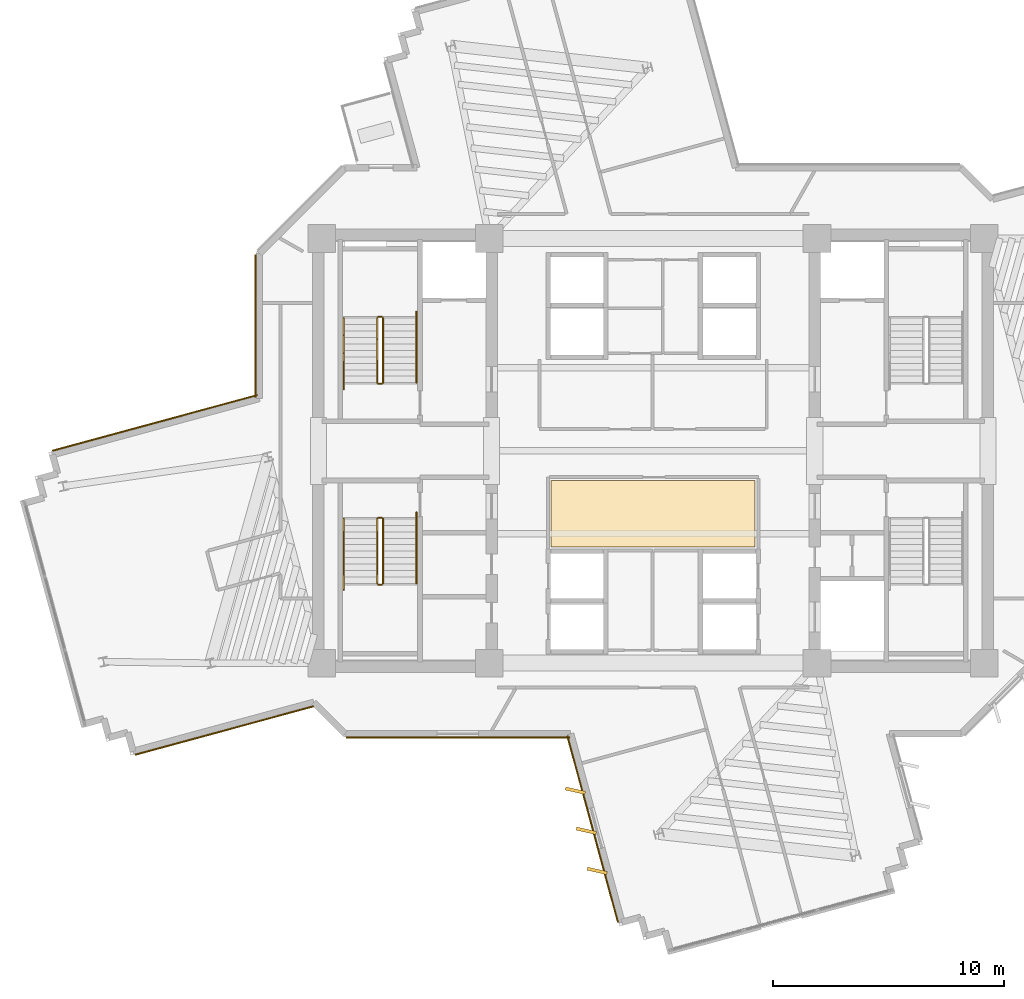
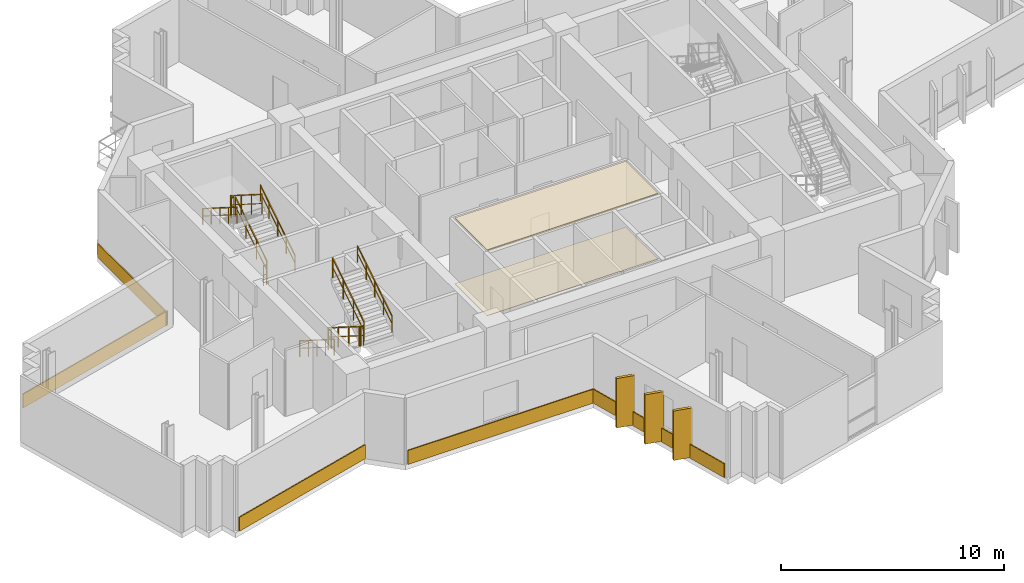
# One storey, part 13 of 15: 12 railings, 10 coverings.
"""IFC4 building model written with IfcOpenShell, lengths in metres."""

from ifc_helpers import new_model, si_unit, direction, frame, origin, origin_2d, place, context, subcontext, project, spatial, polyline, rectangle, outline, extrude, source, transform, mapped, material, layer, layer_set, type_object, element, save


model = new_model("IFC4")

# Units and contexts
model_context = context("Model", 3, precision=1e-05, world=origin(), true_north=direction((0.0, 1.0)))
body_context = subcontext(model_context, "Body", "Model", "MODEL_VIEW")
ifc_project = project(units=[si_unit("LENGTHUNIT", "METRE"), si_unit("AREAUNIT", "SQUARE_METRE"), si_unit("VOLUMEUNIT", "CUBIC_METRE"), si_unit("PLANEANGLEUNIT", "RADIAN"), si_unit("MASSUNIT", "GRAM", prefix="KILO")], contexts=[model_context])

# Site, building, storey
site_placement = place(None, origin())
site = spatial("IfcSite", under=ifc_project, at=site_placement, CompositionType="ELEMENT")
building_placement = place(site_placement, origin())
building = spatial("IfcBuilding", under=site, at=building_placement, Name="Zahravan Cultural Tower", CompositionType="ELEMENT")
storey_placement = place(building_placement, frame((0.0, 0.0, 198.0)))
storey = spatial("IfcBuildingStorey", under=building, at=storey_placement, Name="L46", CompositionType="ELEMENT", Elevation=198.0)

# Coverings
ifc_material_1 = material(Name="Acoustic mineral fibreboard")
ifc_layer_1 = layer(ifc_material_1, 0.0400390625)
ifc_layer_set_1 = layer_set([ifc_layer_1], Name="Acoustic mineral fibreboard")
covering_type_1 = type_object("IfcCoveringType", Name="COV-CEIL-AC20", PredefinedType="CEILING", material=ifc_layer_set_1)
covering_1_placement = place(storey_placement, frame((0.0, 0.0, 3.580078125)))
element("IfcCovering", 1, at=covering_1_placement, inside=storey, type_object=covering_type_1, Name="L46 Acoustic Suspended Ceiling", PredefinedType="CEILING", context=body_context, shape_type="SweptSolid", body=[
    extrude(outline(polyline([(40.419921875, 25.719970703125), (31.580078125, 25.719970703125), (31.580078125, 22.830078125), (40.419921875, 22.830078125), (40.419921875, 25.719970703125)])), origin(), (0.0, 0.0, 1.0), 0.0400390625),
])
ifc_material_2 = material(Name="Terrazzo flooring")
ifc_layer_2 = layer(ifc_material_2, 0.02490234375)
ifc_layer_set_2 = layer_set([ifc_layer_2], Name="Terrazzo flooring")
covering_type_2 = type_object("IfcCoveringType", Name="COV-FLR-TZ25", PredefinedType="FLOORING", material=ifc_layer_set_2)
covering_2_placement = place(storey_placement, origin())
element("IfcCovering", 2, at=covering_2_placement, inside=storey, type_object=covering_type_2, Name="L46 Polished Terrazzo Flooring", PredefinedType="FLOORING", context=body_context, shape_type="SweptSolid", body=[
    extrude(outline(polyline([(40.419921875, 25.719970703125), (31.580078125, 25.719970703125), (31.580078125, 22.830078125), (40.419921875, 22.830078125), (40.419921875, 25.719970703125)])), origin(), (0.0, 0.0, 1.0), 0.02490234375),
])

# Railings
ifc_material_3 = material(Name="Steel ASTM A572 Grade 50", Category="steel")
railing_type_1 = type_object("IfcRailingType", Name="RL-STAIR-GRD1150", PredefinedType="BALUSTRADE", material=ifc_material_3)
railing_1_placement = place(storey_placement, frame((24.300048828125, 29.949951171875, 0.17724609375)))
element("IfcRailing", 3, at=railing_1_placement, inside=storey, type_object=railing_type_1, Name="L46 ST-W1 stair guard 1", PredefinedType="BALUSTRADE", context=body_context, shape_type="SweptSolid", body=[
    extrude(rectangle(XDim=0.05, YDim=0.05, at=origin_2d()), frame((0.0, 0.0, 1.0751953125), z_axis=(0.0, 0.844908973607, 0.534910110503), x_axis=(-1.0, 0.0, 0.0)), (0.0, 0.0, 1.0), 3.31396484375),
    extrude(rectangle(XDim=0.032, YDim=0.032, at=origin_2d()), frame((0.0, 0.0, 0.572021484375), z_axis=(0.0, 0.844908973607, 0.534910110503), x_axis=(-1.0, 0.0, 0.0)), (0.0, 0.0, 1.0), 3.31396484375),
    extrude(rectangle(XDim=0.04, YDim=0.04, at=origin_2d()), origin(), (0.0, 0.0, 1.0), 1.10009765625),
    extrude(rectangle(XDim=0.04, YDim=0.04, at=origin_2d()), frame((0.0, 0.933349609375, 0.5908203125)), (0.0, 0.0, 1.0), 1.10009765625),
    extrude(rectangle(XDim=0.04, YDim=0.04, at=origin_2d()), frame((0.0, 1.86669921875, 1.181884765625)), (0.0, 0.0, 1.0), 1.10009765625),
    extrude(rectangle(XDim=0.04, YDim=0.04, at=origin_2d()), frame((0.0, 2.800048828125, 1.772705078125)), (0.0, 0.0, 1.0), 1.10009765625),
])
railing_2_placement = place(storey_placement, frame((24.25, 32.800048828125, 1.949951171875)))
element("IfcRailing", 4, at=railing_2_placement, inside=storey, type_object=railing_type_1, Name="L46 ST-W1 stair guard 2", PredefinedType="BALUSTRADE", context=body_context, shape_type="SweptSolid", body=[
    extrude(rectangle(XDim=0.05, YDim=0.05, at=origin_2d()), frame((0.0, 0.0, 1.0751953125), z_axis=(-1.0, 0.0, 0.0), x_axis=(0.0, -1.0, 0.0)), (0.0, 0.0, 1.0), 0.14990234375),
    extrude(rectangle(XDim=0.032, YDim=0.032, at=origin_2d()), frame((0.0, 0.0, 0.572021484375), z_axis=(-1.0, 0.0, 0.0), x_axis=(0.0, -1.0, 0.0)), (0.0, 0.0, 1.0), 0.14990234375),
    extrude(rectangle(XDim=0.04, YDim=0.04, at=origin_2d()), origin(), (0.0, 0.0, 1.0), 1.10009765625),
    extrude(rectangle(XDim=0.04, YDim=0.04, at=origin_2d()), frame((-0.14990234375, 0.0, 0.0)), (0.0, 0.0, 1.0), 1.10009765625),
])
railing_3_placement = place(storey_placement, frame((24.050048828125, 32.75, 2.127197265625)))
element("IfcRailing", 5, at=railing_3_placement, inside=storey, type_object=railing_type_1, Name="L46 ST-W1 stair guard 3", PredefinedType="BALUSTRADE", context=body_context, shape_type="SweptSolid", body=[
    extrude(rectangle(XDim=0.05, YDim=0.05, at=origin_2d()), frame((0.0, 0.0, 1.0751953125), z_axis=(0.0, -0.844908973607, 0.534910110503), x_axis=(1.0, 0.0, 0.0)), (0.0, 0.0, 1.0), 3.31396484375),
    extrude(rectangle(XDim=0.032, YDim=0.032, at=origin_2d()), frame((0.0, 0.0, 0.572021484375), z_axis=(0.0, -0.844908973607, 0.534910110503), x_axis=(1.0, 0.0, 0.0)), (0.0, 0.0, 1.0), 3.31396484375),
    extrude(rectangle(XDim=0.04, YDim=0.04, at=origin_2d()), origin(), (0.0, 0.0, 1.0), 1.10009765625),
    extrude(rectangle(XDim=0.04, YDim=0.04, at=origin_2d()), frame((0.0, -0.933349609375, 0.5908203125)), (0.0, 0.0, 1.0), 1.10009765625),
    extrude(rectangle(XDim=0.04, YDim=0.04, at=origin_2d()), frame((0.0, -1.86669921875, 1.181884765625)), (0.0, 0.0, 1.0), 1.10009765625),
    extrude(rectangle(XDim=0.04, YDim=0.04, at=origin_2d()), frame((0.0, -2.800048828125, 1.772705078125)), (0.0, 0.0, 1.0), 1.10009765625),
])
railing_4_placement = place(storey_placement, frame((24.25, 29.89990234375, 0.0)))
element("IfcRailing", 6, at=railing_4_placement, inside=storey, type_object=railing_type_1, Name="L46 ST-W1 stair guard 4", PredefinedType="BALUSTRADE", context=body_context, shape_type="SweptSolid", body=[
    extrude(rectangle(XDim=0.05, YDim=0.05, at=origin_2d()), frame((0.0, 0.0, 1.0751953125), z_axis=(-1.0, 0.0, 0.0), x_axis=(0.0, -1.0, 0.0)), (0.0, 0.0, 1.0), 0.14990234375),
    extrude(rectangle(XDim=0.032, YDim=0.032, at=origin_2d()), frame((0.0, 0.0, 0.572021484375), z_axis=(-1.0, 0.0, 0.0), x_axis=(0.0, -1.0, 0.0)), (0.0, 0.0, 1.0), 0.14990234375),
    extrude(rectangle(XDim=0.04, YDim=0.04, at=origin_2d()), origin(), (0.0, 0.0, 1.0), 1.10009765625),
    extrude(rectangle(XDim=0.04, YDim=0.04, at=origin_2d()), frame((-0.14990234375, 0.0, 0.0)), (0.0, 0.0, 1.0), 1.10009765625),
])
railing_5_placement = place(storey_placement, frame((24.050048828125, 24.050048828125, 0.17724609375)))
element("IfcRailing", 7, at=railing_5_placement, inside=storey, type_object=railing_type_1, Name="L46 ST-W2 stair guard 1", PredefinedType="BALUSTRADE", context=body_context, shape_type="SweptSolid", body=[
    extrude(rectangle(XDim=0.05, YDim=0.05, at=origin_2d()), frame((0.0, 0.0, 1.0751953125), z_axis=(0.0, -0.844908973607, 0.534910110503), x_axis=(1.0, 0.0, 0.0)), (0.0, 0.0, 1.0), 3.31396484375),
    extrude(rectangle(XDim=0.032, YDim=0.032, at=origin_2d()), frame((0.0, 0.0, 0.572021484375), z_axis=(0.0, -0.844908973607, 0.534910110503), x_axis=(1.0, 0.0, 0.0)), (0.0, 0.0, 1.0), 3.31396484375),
    extrude(rectangle(XDim=0.04, YDim=0.04, at=origin_2d()), origin(), (0.0, 0.0, 1.0), 1.10009765625),
    extrude(rectangle(XDim=0.04, YDim=0.04, at=origin_2d()), frame((0.0, -0.933349609375, 0.5908203125)), (0.0, 0.0, 1.0), 1.10009765625),
    extrude(rectangle(XDim=0.04, YDim=0.04, at=origin_2d()), frame((0.0, -1.86669921875, 1.181884765625)), (0.0, 0.0, 1.0), 1.10009765625),
    extrude(rectangle(XDim=0.04, YDim=0.04, at=origin_2d()), frame((0.0, -2.800048828125, 1.772705078125)), (0.0, 0.0, 1.0), 1.10009765625),
])
railing_6_placement = place(storey_placement, frame((24.10009765625, 21.199951171875, 1.949951171875)))
element("IfcRailing", 8, at=railing_6_placement, inside=storey, type_object=railing_type_1, Name="L46 ST-W2 stair guard 2", PredefinedType="BALUSTRADE", context=body_context, shape_type="SweptSolid", body=[
    extrude(rectangle(XDim=0.05, YDim=0.05, at=origin_2d()), frame((0.0, 0.0, 1.0751953125), z_axis=(1.0, 0.0, 0.0), x_axis=(0.0, 1.0, 0.0)), (0.0, 0.0, 1.0), 0.14990234375),
    extrude(rectangle(XDim=0.032, YDim=0.032, at=origin_2d()), frame((0.0, 0.0, 0.572021484375), z_axis=(1.0, 0.0, 0.0), x_axis=(0.0, 1.0, 0.0)), (0.0, 0.0, 1.0), 0.14990234375),
    extrude(rectangle(XDim=0.04, YDim=0.04, at=origin_2d()), origin(), (0.0, 0.0, 1.0), 1.10009765625),
    extrude(rectangle(XDim=0.04, YDim=0.04, at=origin_2d()), frame((0.14990234375, 0.0, 0.0)), (0.0, 0.0, 1.0), 1.10009765625),
])
railing_7_placement = place(storey_placement, frame((24.300048828125, 21.25, 2.127197265625)))
element("IfcRailing", 9, at=railing_7_placement, inside=storey, type_object=railing_type_1, Name="L46 ST-W2 stair guard 3", PredefinedType="BALUSTRADE", context=body_context, shape_type="SweptSolid", body=[
    extrude(rectangle(XDim=0.05, YDim=0.05, at=origin_2d()), frame((0.0, 0.0, 1.0751953125), z_axis=(0.0, 0.844908973607, 0.534910110503), x_axis=(-1.0, 0.0, 0.0)), (0.0, 0.0, 1.0), 3.31396484375),
    extrude(rectangle(XDim=0.032, YDim=0.032, at=origin_2d()), frame((0.0, 0.0, 0.572021484375), z_axis=(0.0, 0.844908973607, 0.534910110503), x_axis=(-1.0, 0.0, 0.0)), (0.0, 0.0, 1.0), 3.31396484375),
    extrude(rectangle(XDim=0.04, YDim=0.04, at=origin_2d()), origin(), (0.0, 0.0, 1.0), 1.10009765625),
    extrude(rectangle(XDim=0.04, YDim=0.04, at=origin_2d()), frame((0.0, 0.933349609375, 0.5908203125)), (0.0, 0.0, 1.0), 1.10009765625),
    extrude(rectangle(XDim=0.04, YDim=0.04, at=origin_2d()), frame((0.0, 1.86669921875, 1.181884765625)), (0.0, 0.0, 1.0), 1.10009765625),
    extrude(rectangle(XDim=0.04, YDim=0.04, at=origin_2d()), frame((0.0, 2.800048828125, 1.772705078125)), (0.0, 0.0, 1.0), 1.10009765625),
])
railing_8_placement = place(storey_placement, frame((24.10009765625, 24.10009765625, 0.0)))
element("IfcRailing", 10, at=railing_8_placement, inside=storey, type_object=railing_type_1, Name="L46 ST-W2 stair guard 4", PredefinedType="BALUSTRADE", context=body_context, shape_type="SweptSolid", body=[
    extrude(rectangle(XDim=0.05, YDim=0.05, at=origin_2d()), frame((0.0, 0.0, 1.0751953125), z_axis=(1.0, 0.0, 0.0), x_axis=(0.0, 1.0, 0.0)), (0.0, 0.0, 1.0), 0.14990234375),
    extrude(rectangle(XDim=0.032, YDim=0.032, at=origin_2d()), frame((0.0, 0.0, 0.572021484375), z_axis=(1.0, 0.0, 0.0), x_axis=(0.0, 1.0, 0.0)), (0.0, 0.0, 1.0), 0.14990234375),
    extrude(rectangle(XDim=0.04, YDim=0.04, at=origin_2d()), origin(), (0.0, 0.0, 1.0), 1.10009765625),
    extrude(rectangle(XDim=0.04, YDim=0.04, at=origin_2d()), frame((0.14990234375, 0.0, 0.0)), (0.0, 0.0, 1.0), 1.10009765625),
])
railing_type_2 = type_object("IfcRailingType", Name="RL-STAIR-HR900", PredefinedType="HANDRAIL", material=ifc_material_3)
railing_9_placement = place(storey_placement, frame((25.75, 29.949951171875, 0.17724609375)))
element("IfcRailing", 11, at=railing_9_placement, inside=storey, type_object=railing_type_2, Name="L46 ST-W1 stair handrail 1", PredefinedType="HANDRAIL", context=body_context, shape_type="SweptSolid", body=[
    extrude(rectangle(XDim=0.05, YDim=0.05, at=origin_2d()), frame((0.0, 0.0, 0.875), z_axis=(0.0, 0.844913916606, 0.534902302785), x_axis=(-1.0, 0.0, 0.0)), (0.0, 0.0, 1.0), 3.6455078125),
    extrude(rectangle(XDim=0.032, YDim=0.032, at=origin_2d()), frame((0.0, 0.0, 0.468017578125), z_axis=(0.0, 0.844913916606, 0.534902302785), x_axis=(-1.0, 0.0, 0.0)), (0.0, 0.0, 1.0), 3.6455078125),
    extrude(rectangle(XDim=0.04, YDim=0.04, at=origin_2d()), origin(), (0.0, 0.0, 1.0), 0.89990234375),
    extrude(rectangle(XDim=0.04, YDim=0.04, at=origin_2d()), frame((0.0, 0.77001953125, 0.487548828125)), (0.0, 0.0, 1.0), 0.89990234375),
    extrude(rectangle(XDim=0.04, YDim=0.04, at=origin_2d()), frame((0.0, 1.5400390625, 0.97509765625)), (0.0, 0.0, 1.0), 0.89990234375),
    extrude(rectangle(XDim=0.04, YDim=0.04, at=origin_2d()), frame((0.0, 2.31005859375, 1.46240234375)), (0.0, 0.0, 1.0), 0.89990234375),
    extrude(rectangle(XDim=0.04, YDim=0.04, at=origin_2d()), frame((0.0, 3.080078125, 1.949951171875)), (0.0, 0.0, 1.0), 0.89990234375),
])
railing_10_placement = place(storey_placement, frame((22.60009765625, 32.75, 2.127197265625)))
element("IfcRailing", 12, at=railing_10_placement, inside=storey, type_object=railing_type_2, Name="L46 ST-W1 stair handrail 2", PredefinedType="HANDRAIL", context=body_context, shape_type="SweptSolid", body=[
    extrude(rectangle(XDim=0.05, YDim=0.05, at=origin_2d()), frame((0.0, 0.0, 0.875), z_axis=(0.0, -0.844883648757, 0.534950109882), x_axis=(1.0, 0.0, 0.0)), (0.0, 0.0, 1.0), 3.6455078125),
    extrude(rectangle(XDim=0.032, YDim=0.032, at=origin_2d()), frame((0.0, 0.0, 0.468017578125), z_axis=(0.0, -0.844883648757, 0.534950109882), x_axis=(1.0, 0.0, 0.0)), (0.0, 0.0, 1.0), 3.6455078125),
    extrude(rectangle(XDim=0.04, YDim=0.04, at=origin_2d()), origin(), (0.0, 0.0, 1.0), 0.89990234375),
    extrude(rectangle(XDim=0.04, YDim=0.04, at=origin_2d()), frame((0.0, -0.77001953125, 0.487548828125)), (0.0, 0.0, 1.0), 0.89990234375),
    extrude(rectangle(XDim=0.04, YDim=0.04, at=origin_2d()), frame((0.0, -1.5400390625, 0.97509765625)), (0.0, 0.0, 1.0), 0.89990234375),
    extrude(rectangle(XDim=0.04, YDim=0.04, at=origin_2d()), frame((0.0, -2.31005859375, 1.462646484375)), (0.0, 0.0, 1.0), 0.89990234375),
    extrude(rectangle(XDim=0.04, YDim=0.04, at=origin_2d()), frame((0.0, -3.080078125, 1.9501953125)), (0.0, 0.0, 1.0), 0.89990234375),
])
railing_11_placement = place(storey_placement, frame((22.60009765625, 24.050048828125, 0.17724609375)))
element("IfcRailing", 13, at=railing_11_placement, inside=storey, type_object=railing_type_2, Name="L46 ST-W2 stair handrail 1", PredefinedType="HANDRAIL", context=body_context, shape_type="SweptSolid", body=[
    extrude(rectangle(XDim=0.05, YDim=0.05, at=origin_2d()), frame((0.0, 0.0, 0.875), z_axis=(0.0, -0.844913916606, 0.534902302785), x_axis=(1.0, 0.0, 0.0)), (0.0, 0.0, 1.0), 3.6455078125),
    extrude(rectangle(XDim=0.032, YDim=0.032, at=origin_2d()), frame((0.0, 0.0, 0.468017578125), z_axis=(0.0, -0.844913916606, 0.534902302785), x_axis=(1.0, 0.0, 0.0)), (0.0, 0.0, 1.0), 3.6455078125),
    extrude(rectangle(XDim=0.04, YDim=0.04, at=origin_2d()), origin(), (0.0, 0.0, 1.0), 0.89990234375),
    extrude(rectangle(XDim=0.04, YDim=0.04, at=origin_2d()), frame((0.0, -0.77001953125, 0.487548828125)), (0.0, 0.0, 1.0), 0.89990234375),
    extrude(rectangle(XDim=0.04, YDim=0.04, at=origin_2d()), frame((0.0, -1.5400390625, 0.97509765625)), (0.0, 0.0, 1.0), 0.89990234375),
    extrude(rectangle(XDim=0.04, YDim=0.04, at=origin_2d()), frame((0.0, -2.31005859375, 1.46240234375)), (0.0, 0.0, 1.0), 0.89990234375),
    extrude(rectangle(XDim=0.04, YDim=0.04, at=origin_2d()), frame((0.0, -3.080078125, 1.949951171875)), (0.0, 0.0, 1.0), 0.89990234375),
])
railing_12_placement = place(storey_placement, frame((25.75, 21.25, 2.127197265625)))
element("IfcRailing", 14, at=railing_12_placement, inside=storey, type_object=railing_type_2, Name="L46 ST-W2 stair handrail 2", PredefinedType="HANDRAIL", context=body_context, shape_type="SweptSolid", body=[
    extrude(rectangle(XDim=0.05, YDim=0.05, at=origin_2d()), frame((0.0, 0.0, 0.875), z_axis=(0.0, 0.844883648757, 0.534950109882), x_axis=(-1.0, 0.0, 0.0)), (0.0, 0.0, 1.0), 3.6455078125),
    extrude(rectangle(XDim=0.032, YDim=0.032, at=origin_2d()), frame((0.0, 0.0, 0.468017578125), z_axis=(0.0, 0.844883648757, 0.534950109882), x_axis=(-1.0, 0.0, 0.0)), (0.0, 0.0, 1.0), 3.6455078125),
    extrude(rectangle(XDim=0.04, YDim=0.04, at=origin_2d()), origin(), (0.0, 0.0, 1.0), 0.89990234375),
    extrude(rectangle(XDim=0.04, YDim=0.04, at=origin_2d()), frame((0.0, 0.77001953125, 0.487548828125)), (0.0, 0.0, 1.0), 0.89990234375),
    extrude(rectangle(XDim=0.04, YDim=0.04, at=origin_2d()), frame((0.0, 1.5400390625, 0.97509765625)), (0.0, 0.0, 1.0), 0.89990234375),
    extrude(rectangle(XDim=0.04, YDim=0.04, at=origin_2d()), frame((0.0, 2.31005859375, 1.462646484375)), (0.0, 0.0, 1.0), 0.89990234375),
    extrude(rectangle(XDim=0.04, YDim=0.04, at=origin_2d()), frame((0.0, 3.080078125, 1.9501953125)), (0.0, 0.0, 1.0), 0.89990234375),
])

# Coverings
ifc_material_4 = material(Name="Terracotta ceramic cladding", Category="masonry")
ifc_layer_3 = layer(ifc_material_4, 0.06005859375)
ifc_layer_set_3 = layer_set([ifc_layer_3], Name="Terracotta ceramic cladding")
covering_type_3 = type_object("IfcCoveringType", Name="COV-CLAD-TC60", PredefinedType="CLADDING", material=ifc_layer_set_3)
shared_shape_1 = source(origin(), body_context, "Body", "SweptSolid", [
    extrude(rectangle(XDim=0.8798828125, YDim=0.139892578125, at=origin_2d()), origin(), (0.0, 0.0, 1.0), 2.699951171875),
])
for number, where, z_axis, x_axis, name in (
    (15, (33.576904296875, 8.800537109375, 0.0498046875), (0.0, 0.0, 1.0), (-0.975149354306, 0.221548497619, 0.0), "L46 Herringbone Terracotta Fin 16"),
    (16, (33.10498046875, 10.53759765625, 0.0498046875), (0.0, 0.0, 1.0), (-0.975149354306, 0.221548497619, 0.0), "L46 Herringbone Terracotta Fin 17"),
    (17, (32.633056640625, 12.274658203125, 0.0498046875), (0.0, 0.0, 1.0), (-0.975149354306, 0.221548497619, 0.0), "L46 Herringbone Terracotta Fin 18"),
):
    element("IfcCovering", number, at=place(storey_placement, frame(where, z_axis=z_axis, x_axis=x_axis)), inside=storey, type_object=covering_type_3, Name=name, PredefinedType="CLADDING", context=body_context, shape_type="MappedRepresentation", body=[
        mapped(shared_shape_1, transform((0.0, 0.0, 0.0), x_axis=(1.0, 0.0, 0.0), y_axis=(0.0, 1.0, 0.0), z_axis=(0.0, 0.0, 1.0), scale=1.0)),
    ])
shared_shape_2 = source(origin(), body_context, "Body", "SweptSolid", [
    extrude(rectangle(XDim=8.01220703125, YDim=0.06005859375, at=origin_2d()), origin(), (0.0, 0.0, 1.0), 0.760009765625),
])
covering_3_placement = place(storey_placement, frame((17.423828125, 14.880615234375, 0.02001953125), z_axis=(0.0, 0.0, 1.0), x_axis=(-0.965016494472, -0.262189178641, 0.0)))
element("IfcCovering", 18, at=covering_3_placement, inside=storey, type_object=covering_type_3, Name="L46 Terracotta Spandrel Cladding 27", PredefinedType="CLADDING", context=body_context, shape_type="MappedRepresentation", body=[
    mapped(shared_shape_2, transform((0.0, 0.0, 0.0), x_axis=(1.0, 0.0, 0.0), y_axis=(0.0, 1.0, 0.0), z_axis=(0.0, 0.0, 1.0), scale=1.0)),
])
shared_shape_3 = source(origin(), body_context, "Body", "SweptSolid", [
    extrude(rectangle(XDim=9.19091796875, YDim=0.06005859375, at=origin_2d()), origin(), (0.0, 0.0, 1.0), 0.760009765625),
])
covering_4_placement = place(storey_placement, frame((14.413818359375, 28.20751953125, 0.02001953125), z_axis=(0.0, 0.0, 1.0), x_axis=(0.965016494472, 0.262189178641, 0.0)))
element("IfcCovering", 19, at=covering_4_placement, inside=storey, type_object=covering_type_3, Name="L46 Terracotta Spandrel Cladding 36", PredefinedType="CLADDING", context=body_context, shape_type="MappedRepresentation", body=[
    mapped(shared_shape_3, transform((0.0, 0.0, 0.0), x_axis=(1.0, 0.0, 0.0), y_axis=(0.0, 1.0, 0.0), z_axis=(0.0, 0.0, 1.0), scale=1.0)),
])
shared_shape_4 = source(origin(), body_context, "Body", "SweptSolid", [
    extrude(rectangle(XDim=6.17578125, YDim=0.06005859375, at=origin_2d()), origin(), (0.0, 0.0, 1.0), 0.760009765625),
])
covering_5_placement = place(storey_placement, frame((18.77490234375, 32.404296875, 0.02001953125), z_axis=(0.0, 0.0, 1.0), x_axis=(0.0, 1.0, 0.0)))
element("IfcCovering", 20, at=covering_5_placement, inside=storey, type_object=covering_type_3, Name="L46 Terracotta Spandrel Cladding 37", PredefinedType="CLADDING", context=body_context, shape_type="MappedRepresentation", body=[
    mapped(shared_shape_4, transform((0.0, 0.0, 0.0), x_axis=(1.0, 0.0, 0.0), y_axis=(0.0, 1.0, 0.0), z_axis=(0.0, 0.0, 1.0), scale=1.0)),
])
shared_shape_5 = source(origin(), body_context, "Body", "SweptSolid", [
    extrude(rectangle(XDim=8.364990234375, YDim=0.06005859375, at=origin_2d()), origin(), (0.0, 0.0, 1.0), 0.760009765625),
])
covering_6_placement = place(storey_placement, frame((33.3798828125, 10.6123046875, 0.02001953125), z_axis=(0.0, 0.0, 1.0), x_axis=(-0.262189178641, 0.965016494472, 0.0)))
element("IfcCovering", 21, at=covering_6_placement, inside=storey, type_object=covering_type_3, Name="L46 Terracotta Spandrel Cladding 24", PredefinedType="CLADDING", context=body_context, shape_type="MappedRepresentation", body=[
    mapped(shared_shape_5, transform((0.0, 0.0, 0.0), x_axis=(1.0, 0.0, 0.0), y_axis=(0.0, 1.0, 0.0), z_axis=(0.0, 0.0, 1.0), scale=1.0)),
])
shared_shape_6 = source(origin(), body_context, "Body", "SweptSolid", [
    extrude(rectangle(XDim=9.67138671875, YDim=0.06005859375, at=origin_2d()), origin(), (0.0, 0.0, 1.0), 0.760009765625),
])
covering_7_placement = place(storey_placement, frame((27.543701171875, 14.574951171875, 0.02001953125), z_axis=(0.0, 0.0, 1.0), x_axis=(-1.0, 0.0, 0.0)))
element("IfcCovering", 22, at=covering_7_placement, inside=storey, type_object=covering_type_3, Name="L46 Terracotta Spandrel Cladding 25", PredefinedType="CLADDING", context=body_context, shape_type="MappedRepresentation", body=[
    mapped(shared_shape_6, transform((0.0, 0.0, 0.0), x_axis=(1.0, 0.0, 0.0), y_axis=(0.0, 1.0, 0.0), z_axis=(0.0, 0.0, 1.0), scale=1.0)),
])

save(model, "model.ifc")
